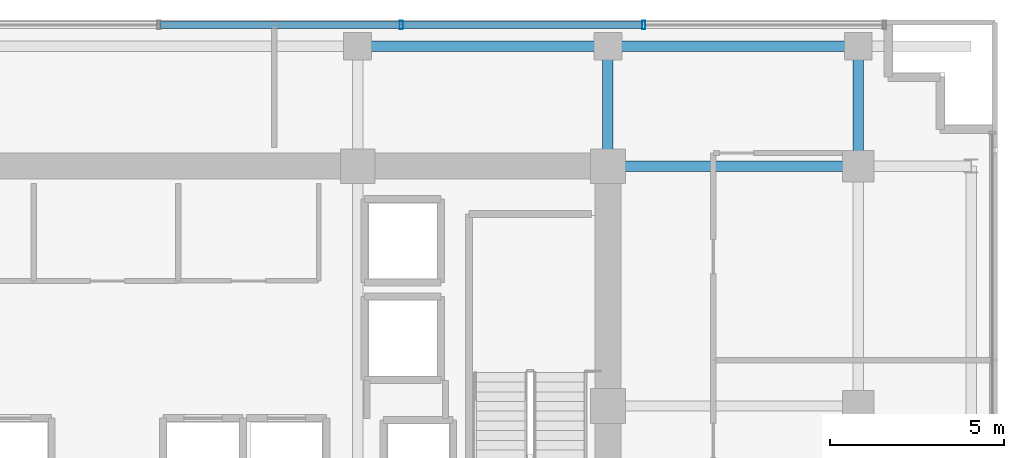
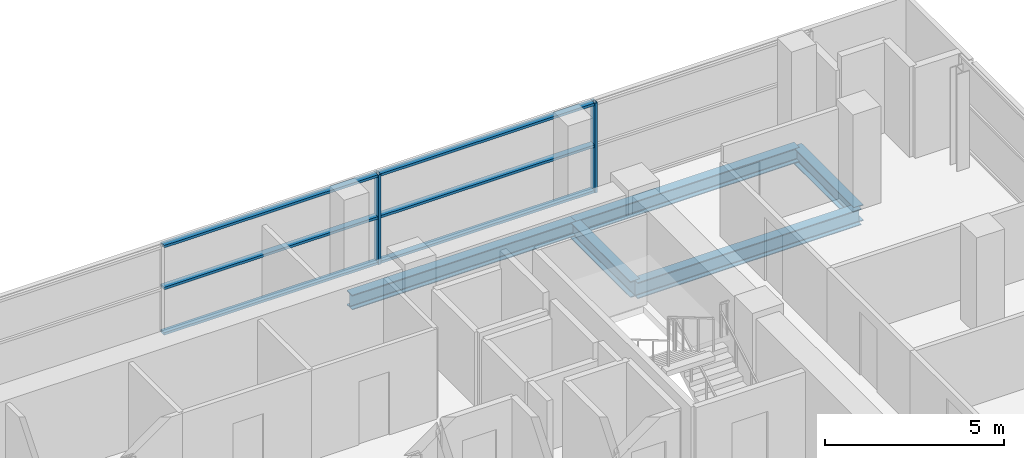
# One storey, part 16 of 25: 8 members, 5 beams, 1 element without a shape of its own.
"""IFC4 building model written with IfcOpenShell, lengths in metres."""

import ifcopenshell
import ifcopenshell.guid

model = None  # the IFC model being written
_history = None  # IfcOwnerHistory: only IFC2X3 demands one
_inside = {}  # id of a spatial element -> (the spatial element, [elements in it])
_under = {}  # id of a project, library or spatial element -> (it, [spatial elements below it])
_declared = {}  # id of a project -> (the project, [libraries it declares])
_typed = {}  # id of a type object -> (the type object, [elements of that type])
_made_of = {}  # id of a material, layer set ... -> (it, [elements and type objects made of it])


def new_model(schema):
    """Start an empty IFC model of exactly this schema.

    Asked for "IFC4X3", IfcOpenShell would pick the latest addendum, in which some entities
    have other attributes; the version numbers below select the first issue.
    IFC2X3 requires an IfcOwnerHistory on every rooted entity: one is made here for all.
    """
    global model, _history
    if schema == "IFC4X3":
        model = ifcopenshell.file(schema_version=(4, 3, 0, 0))
    else:
        model = ifcopenshell.file(schema=schema)
    _inside.clear()
    _under.clear()
    _declared.clear()
    _typed.clear()
    _made_of.clear()
    _history = None
    if model.schema == "IFC2X3":
        org = make("IfcOrganization", Name="unknown")
        user = make(
            "IfcPersonAndOrganization",
            ThePerson=make("IfcPerson", FamilyName="unknown"),
            TheOrganization=org,
        )
        app = make(
            "IfcApplication",
            ApplicationDeveloper=org,
            Version="unknown",
            ApplicationFullName="unknown",
            ApplicationIdentifier="unknown",
        )
        _history = make(
            "IfcOwnerHistory",
            OwningUser=user,
            OwningApplication=app,
            ChangeAction="ADDED",
            CreationDate=0,
        )
    return model


def make(cls, **values):
    """One entity of the class cls with the attributes given. An attribute that is None is left unset."""
    return model.create_entity(
        cls, **{name: value for name, value in values.items() if value is not None}
    )


def rooted(cls, **values):
    """An entity with a GlobalId (a new one), such as an element, a storey or a relation."""
    return make(cls, GlobalId=ifcopenshell.guid.new(), OwnerHistory=_history, **values)


def si_unit(unit_type, name, prefix=None):
    """IfcSIUnit, for example si_unit("LENGTHUNIT", "METRE", prefix="MILLI")."""
    return make("IfcSIUnit", UnitType=unit_type, Prefix=prefix, Name=name)


def assignment(units):
    """IfcUnitAssignment: the units of a project."""
    return None if units is None else make("IfcUnitAssignment", Units=units)


def point(xyz):
    """IfcCartesianPoint."""
    return None if xyz is None else make("IfcCartesianPoint", Coordinates=xyz)


def direction(xyz):
    """IfcDirection."""
    return None if xyz is None else make("IfcDirection", DirectionRatios=xyz)


def frame(location, z_axis=None, x_axis=None):
    """IfcAxis2Placement3D, a coordinate frame: its origin and axes. An axis left out is left unset."""
    return make(
        "IfcAxis2Placement3D",
        Location=point(location),
        Axis=direction(z_axis),
        RefDirection=direction(x_axis),
    )


def frame_2d(location, x_axis=None):
    """IfcAxis2Placement2D, a coordinate frame in the plane: its origin and x axis."""
    return make(
        "IfcAxis2Placement2D", Location=point(location), RefDirection=direction(x_axis)
    )


def origin():
    """The frame at (0, 0, 0) with its axes left unset."""
    return frame((0.0, 0.0, 0.0))


def origin_2d():
    """The frame at (0, 0) in the plane with its x axis left unset."""
    return frame_2d((0.0, 0.0))


def place(relative_to, where):
    """IfcLocalPlacement: puts the frame where relative to a parent placement (None: the world)."""
    return make(
        "IfcLocalPlacement", PlacementRelTo=relative_to, RelativePlacement=where
    )


def context(
    kind, dimensions, precision=None, world=None, true_north=None, identifier=None
):
    """IfcGeometricRepresentationContext, for example the 3D "Model" context."""
    return make(
        "IfcGeometricRepresentationContext",
        ContextIdentifier=identifier,
        ContextType=kind,
        CoordinateSpaceDimension=dimensions,
        Precision=precision,
        WorldCoordinateSystem=world,
        TrueNorth=true_north,
    )


def subcontext(parent, identifier, kind, view, scale=None):
    """IfcGeometricRepresentationSubContext, for example "Body" below "Model"."""
    return make(
        "IfcGeometricRepresentationSubContext",
        ContextIdentifier=identifier,
        ContextType=kind,
        ParentContext=parent,
        TargetScale=scale,
        TargetView=view,
    )


def project(units=None, contexts=None):
    """IfcProject with its units and contexts."""
    return rooted(
        "IfcProject",
        Name="project",
        RepresentationContexts=contexts,
        UnitsInContext=assignment(units),
    )


def spatial(cls, under=None, at=None, **own):
    """A site, building, storey or space (cls), placed at a placement, below another one or the project."""
    s = rooted(cls, ObjectPlacement=at, **own)
    if under is not None:
        _under.setdefault(under.id(), (under, []))[1].append(s)
    return s


def profile(cls, at=None, kind="AREA", **sizes):
    """A parametric profile (cls). Its sizes go by their IFC names, for example OverallWidth=200.0."""
    return make(cls, ProfileType=kind, Position=at, **sizes)


def hollow_rectangle(**sizes):
    """IfcRectangleHollowProfileDef."""
    return profile("IfcRectangleHollowProfileDef", **sizes)


def i_section(**sizes):
    """IfcIShapeProfileDef."""
    return profile("IfcIShapeProfileDef", **sizes)


def extrude(swept, where, along, depth):
    """IfcExtrudedAreaSolid: the profile swept, set in the frame where, extruded along a direction by depth."""
    return make(
        "IfcExtrudedAreaSolid",
        SweptArea=swept,
        Position=where,
        ExtrudedDirection=direction(along),
        Depth=depth,
    )


def shape(context_of_items, identifier, shape_type, items):
    """IfcShapeRepresentation: the items that make up one representation, for example the "Body"."""
    return make(
        "IfcShapeRepresentation",
        ContextOfItems=context_of_items,
        RepresentationIdentifier=identifier,
        RepresentationType=shape_type,
        Items=items,
    )


def source(mapping_origin, context_of_items, identifier, shape_type, items):
    """IfcRepresentationMap: a shape defined once, which mapped items show again and again."""
    return make(
        "IfcRepresentationMap",
        MappingOrigin=mapping_origin,
        MappedRepresentation=shape(context_of_items, identifier, shape_type, items),
    )


def transform(
    local_origin,
    x_axis=None,
    y_axis=None,
    z_axis=None,
    scale=None,
    scale2=None,
    scale3=None,
    uniform=True,
):
    """IfcCartesianTransformationOperator3D, or its non-uniform kind. x_axis, y_axis, z_axis: its Axis1, 2, 3."""
    if uniform:
        return make(
            "IfcCartesianTransformationOperator3D",
            Axis1=direction(x_axis),
            Axis2=direction(y_axis),
            LocalOrigin=point(local_origin),
            Scale=scale,
            Axis3=direction(z_axis),
        )
    return make(
        "IfcCartesianTransformationOperator3DnonUniform",
        Axis1=direction(x_axis),
        Axis2=direction(y_axis),
        LocalOrigin=point(local_origin),
        Scale=scale,
        Axis3=direction(z_axis),
        Scale2=scale2,
        Scale3=scale3,
    )


def mapped(mapping_source, mapping_target):
    """IfcMappedItem: shows the shape of a source again, moved by a transform."""
    return make(
        "IfcMappedItem", MappingSource=mapping_source, MappingTarget=mapping_target
    )


def material(Name=None, Category=None):
    """IfcMaterial."""
    return make("IfcMaterial", Name=Name, Category=Category)


def layer(
    of_material, thickness, ventilated=None, Name=None, Category=None, Priority=None
):
    """IfcMaterialLayer: one layer of a wall or slab, of a material (None: an air gap)."""
    return make(
        "IfcMaterialLayer",
        Material=of_material,
        LayerThickness=thickness,
        IsVentilated=ventilated,
        Name=Name,
        Category=Category,
        Priority=Priority,
    )


def layer_set(layers, Name=None):
    """IfcMaterialLayerSet."""
    return make("IfcMaterialLayerSet", MaterialLayers=layers, LayerSetName=Name)


def material_profile(
    of_material, cross_section, Name=None, Category=None, Priority=None
):
    """IfcMaterialProfile: a cross section and its material."""
    return make(
        "IfcMaterialProfile",
        Name=Name,
        Material=of_material,
        Profile=cross_section,
        Priority=Priority,
        Category=Category,
    )


def profile_set(profiles, Name=None, composite=None):
    """IfcMaterialProfileSet."""
    return make(
        "IfcMaterialProfileSet",
        Name=Name,
        MaterialProfiles=profiles,
        CompositeProfile=composite,
    )


def made_of(thing, what):
    """Note that an element or type object is made of a material, layer set ...; save() writes the relation."""
    if what is not None:
        _made_of.setdefault(what.id(), (what, []))[1].append(thing)
    return thing


def type_object(cls, material=None, **own):
    """A type object (cls), such as IfcWallType, which elements share."""
    return made_of(rooted(cls, **own), material)


def element(
    cls,
    number,
    at=None,
    inside=None,
    cuts=None,
    type_object=None,
    material=None,
    context=None,
    identifier="Body",
    shape_type=None,
    held_by="IfcProductDefinitionShape",
    body=None,
    shapes=None,
    **own,
):
    """One element of the class cls, such as IfcWall. Its Tag is "e" and its number.

    at: its placement. inside: the storey or other place that contains it. cuts: it is an
    opening in that element (IfcRelVoidsElement). A single representation is given by context,
    identifier, shape_type and body (its items); several are given by shapes. held_by: the class
    of the entity that holds the representations. save() writes the other relations.
    """
    e = rooted(cls, Tag="e%d" % number, ObjectPlacement=at, **own)
    if body is not None:
        shapes = [shape(context, identifier, shape_type, body)]
    if shapes is not None:
        e.Representation = make(held_by, Representations=shapes)
    if inside is not None:
        _inside.setdefault(inside.id(), (inside, []))[1].append(e)
    if cuts is not None:
        rooted(
            "IfcRelVoidsElement", RelatingBuildingElement=cuts, RelatedOpeningElement=e
        )
    if type_object is not None:
        _typed.setdefault(type_object.id(), (type_object, []))[1].append(e)
    return made_of(e, material)


def aggregate(whole, parts):
    """IfcRelAggregates: a whole, such as a stair, and the parts it consists of."""
    return rooted("IfcRelAggregates", RelatingObject=whole, RelatedObjects=parts)


def save(model, path):
    """Write the relations noted so far, then the file.

    IfcRelAggregates (storeys below a building ...), IfcRelContainedInSpatialStructure (elements
    in a storey), IfcRelDefinesByType, IfcRelAssociatesMaterial and IfcRelDeclares: one each for
    every whole, place, type object, material and project.
    """
    for whole, parts in _under.values():
        aggregate(whole, parts)
    for where, things in _inside.values():
        rooted(
            "IfcRelContainedInSpatialStructure",
            RelatedElements=things,
            RelatingStructure=where,
        )
    for kind, things in _typed.values():
        rooted("IfcRelDefinesByType", RelatedObjects=things, RelatingType=kind)
    for what, things in _made_of.values():
        rooted("IfcRelAssociatesMaterial", RelatedObjects=things, RelatingMaterial=what)
    for by, libraries in _declared.values():
        rooted("IfcRelDeclares", RelatingContext=by, RelatedDefinitions=libraries)
    model.write(path)


model = new_model("IFC4")

# Units and contexts
model_context = context("Model", 3, precision=1e-05, world=origin(), true_north=direction((0.0, 1.0)))
body_context = subcontext(model_context, "Body", "Model", "MODEL_VIEW")
ifc_project = project(units=[si_unit("LENGTHUNIT", "METRE"), si_unit("AREAUNIT", "SQUARE_METRE"), si_unit("VOLUMEUNIT", "CUBIC_METRE"), si_unit("PLANEANGLEUNIT", "RADIAN"), si_unit("MASSUNIT", "GRAM", prefix="KILO")], contexts=[model_context])

# Site, building, storey
site_placement = place(None, origin())
site = spatial("IfcSite", under=ifc_project, at=site_placement, CompositionType="ELEMENT")
building_placement = place(site_placement, origin())
building = spatial("IfcBuilding", under=site, at=building_placement, Name="Zarnakvel Exchange Tower", CompositionType="ELEMENT")
storey_placement = place(building_placement, frame((0.0, 0.0, 93.39990234375)))
storey = spatial("IfcBuildingStorey", under=building, at=storey_placement, Name="L25", CompositionType="ELEMENT", Elevation=93.39990234375)

# Beams
ifc_material_1 = material(Name="Steel S355", Category="steel")
ifc_material_profile_1 = material_profile(ifc_material_1, i_section(OverallWidth=0.300048828125, OverallDepth=0.550048828125, WebThickness=0.014892578125, FlangeThickness=0.029052734375, FilletRadius=0.027099609375, at=origin_2d()))
ifc_profile_set_1 = profile_set([ifc_material_profile_1], Name="Steel S355")
beam_type_1 = type_object("IfcBeamType", Name="G-05", PredefinedType="BEAM", material=ifc_profile_set_1)
beam_1_placement = place(storey_placement, frame((14.39990234375, 13.5, -0.5), z_axis=(1.0, 0.0, 0.0), x_axis=(0.0, 1.0, 0.0)))
element("IfcBeam", 1, at=beam_1_placement, inside=storey, type_object=beam_type_1, Name="L25 Tower E-W Frame Beam", PredefinedType="BEAM", context=body_context, shape_type="SweptSolid", body=[
    extrude(i_section(OverallWidth=0.300048828125, OverallDepth=0.550048828125, WebThickness=0.014892578125, FlangeThickness=0.029052734375, FilletRadius=0.027099609375, at=origin_2d()), origin(), (0.0, 0.0, 1.0), 7.2001953125),
])
for number, where, z_axis, x_axis, name in (
    (2, (14.39990234375, 13.5, -0.5), (0.0, 1.0, 0.0), (-1.0, 0.0, 0.0), "L25 Tower N-S Frame Beam"),
    (3, (21.60009765625, 13.5, -0.5), (0.0, 1.0, 0.0), (-1.0, 0.0, 0.0), "L25 Tower N-S Frame Beam"),
):
    element("IfcBeam", number, at=place(storey_placement, frame(where, z_axis=z_axis, x_axis=x_axis)), inside=storey, type_object=beam_type_1, Name=name, PredefinedType="BEAM", context=body_context, shape_type="SweptSolid", body=[
        extrude(i_section(OverallWidth=0.300048828125, OverallDepth=0.550048828125, WebThickness=0.014892578125, FlangeThickness=0.029052734375, FilletRadius=0.027099609375, at=origin_2d()), origin(), (0.0, 0.0, 1.0), 3.449951171875),
    ])
ifc_material_profile_2 = material_profile(ifc_material_1, i_section(OverallWidth=0.300048828125, OverallDepth=0.5, WebThickness=0.014404296875, FlangeThickness=0.028076171875, FilletRadius=0.027099609375, at=origin_2d()))
ifc_profile_set_2 = profile_set([ifc_material_profile_2], Name="Steel S355")
beam_type_2 = type_object("IfcBeamType", Name="SP-02", PredefinedType="SPANDREL", material=ifc_profile_set_2)
beam_2_placement = place(storey_placement, frame((7.199951171875, 16.949951171875, -0.474853515625), z_axis=(1.0, 0.0, 0.0), x_axis=(0.0, 1.0, 0.0)))
element("IfcBeam", 4, at=beam_2_placement, inside=storey, type_object=beam_type_2, Name="L25 Tower E-W Frame Beam", PredefinedType="SPANDREL", context=body_context, shape_type="SweptSolid", body=[
    extrude(i_section(OverallWidth=0.300048828125, OverallDepth=0.5, WebThickness=0.014404296875, FlangeThickness=0.028076171875, FilletRadius=0.027099609375, at=origin_2d()), origin(), (0.0, 0.0, 1.0), 7.199951171875),
])
beam_3_placement = place(storey_placement, frame((14.39990234375, 16.949951171875, -0.474853515625), z_axis=(1.0, 0.0, 0.0), x_axis=(0.0, 1.0, 0.0)))
element("IfcBeam", 5, at=beam_3_placement, inside=storey, type_object=beam_type_2, Name="L25 Tower E-W Frame Beam", PredefinedType="SPANDREL", context=body_context, shape_type="SweptSolid", body=[
    extrude(i_section(OverallWidth=0.300048828125, OverallDepth=0.5, WebThickness=0.014404296875, FlangeThickness=0.028076171875, FilletRadius=0.027099609375, at=origin_2d()), origin(), (0.0, 0.0, 1.0), 7.2001953125),
])

# Curtain wall, members
ifc_material_2 = material(Name="Architectural Bronze Anodised Aluminium", Category="aluminium")
ifc_layer = layer(ifc_material_2, 0.239990234375)
ifc_layer_set = layer_set([ifc_layer], Name="Architectural Bronze Anodised Aluminium")
curtain_wall_type = type_object("IfcCurtainWallType", Name="CW-02", PredefinedType="NOTDEFINED", material=ifc_layer_set)
curtain_wall_placement = place(storey_placement, origin())
curtain_wall = element("IfcCurtainWall", 6, at=curtain_wall_placement, inside=storey, type_object=curtain_wall_type, Name="L25 Curtain Wall CW-L25-N1 (CW-02)", PredefinedType="NOTDEFINED")
ifc_material_profile_3 = material_profile(ifc_material_2, hollow_rectangle(XDim=0.239990234375, YDim=0.090087890625, WallThickness=0.006103515625, at=origin_2d()))
ifc_profile_set_3 = profile_set([ifc_material_profile_3], Name="Architectural Bronze Anodised Aluminium")
member_type_1 = type_object("IfcMemberType", Name="CWM-02", PredefinedType="MULLION", material=ifc_profile_set_3)
shared_shape_1 = source(origin(), body_context, "Body", "SweptSolid", [
    extrude(hollow_rectangle(XDim=0.239990234375, YDim=0.090087890625, WallThickness=0.006103515625, at=origin_2d()), origin(), (0.0, 0.0, 1.0), 3.05517578125),
])
member_1_placement = place(storey_placement, frame((8.45703125, 17.56005859375, 0.0), z_axis=(0.0, 0.0, 1.0), x_axis=(0.0, 1.0, 0.0)))
member_1 = element("IfcMember", 7, at=member_1_placement, type_object=member_type_1, Name="CW-02 mullion 6", PredefinedType="MULLION", context=body_context, shape_type="MappedRepresentation", body=[
    mapped(shared_shape_1, transform((0.0, 0.0, 0.0), x_axis=(1.0, 0.0, 0.0), y_axis=(0.0, 1.0, 0.0), z_axis=(0.0, 0.0, 1.0), scale=1.0)),
])
member_2_placement = place(storey_placement, frame((15.428466796875, 17.56005859375, 0.0), z_axis=(0.0, 0.0, 1.0), x_axis=(0.0, 1.0, 0.0)))
member_2 = element("IfcMember", 8, at=member_2_placement, type_object=member_type_1, Name="CW-02 mullion 7", PredefinedType="MULLION", context=body_context, shape_type="MappedRepresentation", body=[
    mapped(shared_shape_1, transform((0.0, 0.0, 0.0), x_axis=(1.0, 0.0, 0.0), y_axis=(0.0, 1.0, 0.0), z_axis=(0.0, 0.0, 1.0), scale=1.0)),
])
ifc_material_profile_4 = material_profile(ifc_material_2, hollow_rectangle(XDim=0.199951171875, YDim=0.0849609375, WallThickness=0.0048828125, at=origin_2d()))
ifc_profile_set_4 = profile_set([ifc_material_profile_4], Name="Architectural Bronze Anodised Aluminium")
member_type_2 = type_object("IfcMemberType", Name="CWT-02", PredefinedType="USERDEFINED", material=ifc_profile_set_4)
shared_shape_2 = source(origin(), body_context, "Body", "SweptSolid", [
    extrude(hollow_rectangle(XDim=0.199951171875, YDim=0.0849609375, WallThickness=0.0048828125, at=origin_2d()), origin(), (0.0, 0.0, 1.0), 6.88134765625),
])
member_3_placement = place(storey_placement, frame((1.53076171875, 17.56005859375, 0.04248046875), z_axis=(1.0, 0.0, 0.0), x_axis=(0.0, 1.0, 0.0)))
member_3 = element("IfcMember", 9, at=member_3_placement, type_object=member_type_2, Name="CW-02 transom 5.1", ObjectType="TRANSOM", PredefinedType="USERDEFINED", context=body_context, shape_type="MappedRepresentation", body=[
    mapped(shared_shape_2, transform((0.0, 0.0, 0.0), x_axis=(1.0, 0.0, 0.0), y_axis=(0.0, 1.0, 0.0), z_axis=(0.0, 0.0, 1.0), scale=1.0)),
])
member_4_placement = place(storey_placement, frame((1.53076171875, 17.56005859375, 1.588623046875), z_axis=(1.0, 0.0, 0.0), x_axis=(0.0, 1.0, 0.0)))
member_4 = element("IfcMember", 10, at=member_4_placement, type_object=member_type_2, Name="CW-02 transom 5.2", ObjectType="TRANSOM", PredefinedType="USERDEFINED", context=body_context, shape_type="MappedRepresentation", body=[
    mapped(shared_shape_2, transform((0.0, 0.0, 0.0), x_axis=(1.0, 0.0, 0.0), y_axis=(0.0, 1.0, 0.0), z_axis=(0.0, 0.0, 1.0), scale=1.0)),
])
member_5_placement = place(storey_placement, frame((1.53076171875, 17.56005859375, 3.0126953125), z_axis=(1.0, 0.0, 0.0), x_axis=(0.0, 1.0, 0.0)))
member_5 = element("IfcMember", 11, at=member_5_placement, type_object=member_type_2, Name="CW-02 transom 5.3", ObjectType="TRANSOM", PredefinedType="USERDEFINED", context=body_context, shape_type="MappedRepresentation", body=[
    mapped(shared_shape_2, transform((0.0, 0.0, 0.0), x_axis=(1.0, 0.0, 0.0), y_axis=(0.0, 1.0, 0.0), z_axis=(0.0, 0.0, 1.0), scale=1.0)),
])
member_6_placement = place(storey_placement, frame((8.502197265625, 17.56005859375, 0.04248046875), z_axis=(1.0, 0.0, 0.0), x_axis=(0.0, 1.0, 0.0)))
member_6 = element("IfcMember", 12, at=member_6_placement, type_object=member_type_2, Name="CW-02 transom 6.1", ObjectType="TRANSOM", PredefinedType="USERDEFINED", context=body_context, shape_type="MappedRepresentation", body=[
    mapped(shared_shape_2, transform((0.0, 0.0, 0.0), x_axis=(1.0, 0.0, 0.0), y_axis=(0.0, 1.0, 0.0), z_axis=(0.0, 0.0, 1.0), scale=1.0)),
])
member_7_placement = place(storey_placement, frame((8.502197265625, 17.56005859375, 1.588623046875), z_axis=(1.0, 0.0, 0.0), x_axis=(0.0, 1.0, 0.0)))
member_7 = element("IfcMember", 13, at=member_7_placement, type_object=member_type_2, Name="CW-02 transom 6.2", ObjectType="TRANSOM", PredefinedType="USERDEFINED", context=body_context, shape_type="MappedRepresentation", body=[
    mapped(shared_shape_2, transform((0.0, 0.0, 0.0), x_axis=(1.0, 0.0, 0.0), y_axis=(0.0, 1.0, 0.0), z_axis=(0.0, 0.0, 1.0), scale=1.0)),
])
member_8_placement = place(storey_placement, frame((8.502197265625, 17.56005859375, 3.0126953125), z_axis=(1.0, 0.0, 0.0), x_axis=(0.0, 1.0, 0.0)))
member_8 = element("IfcMember", 14, at=member_8_placement, type_object=member_type_2, Name="CW-02 transom 6.3", ObjectType="TRANSOM", PredefinedType="USERDEFINED", context=body_context, shape_type="MappedRepresentation", body=[
    mapped(shared_shape_2, transform((0.0, 0.0, 0.0), x_axis=(1.0, 0.0, 0.0), y_axis=(0.0, 1.0, 0.0), z_axis=(0.0, 0.0, 1.0), scale=1.0)),
])
aggregate(curtain_wall, [member_1, member_2, member_3, member_4, member_5, member_6, member_7, member_8])

save(model, "model.ifc")
